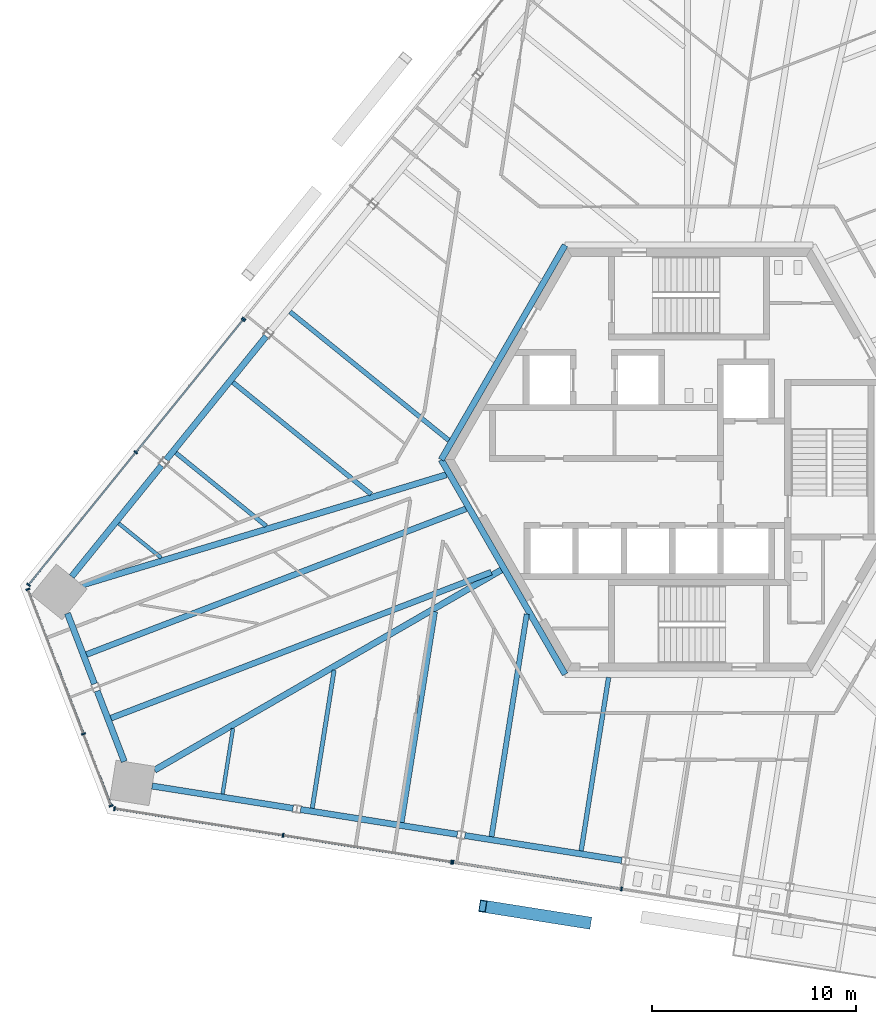
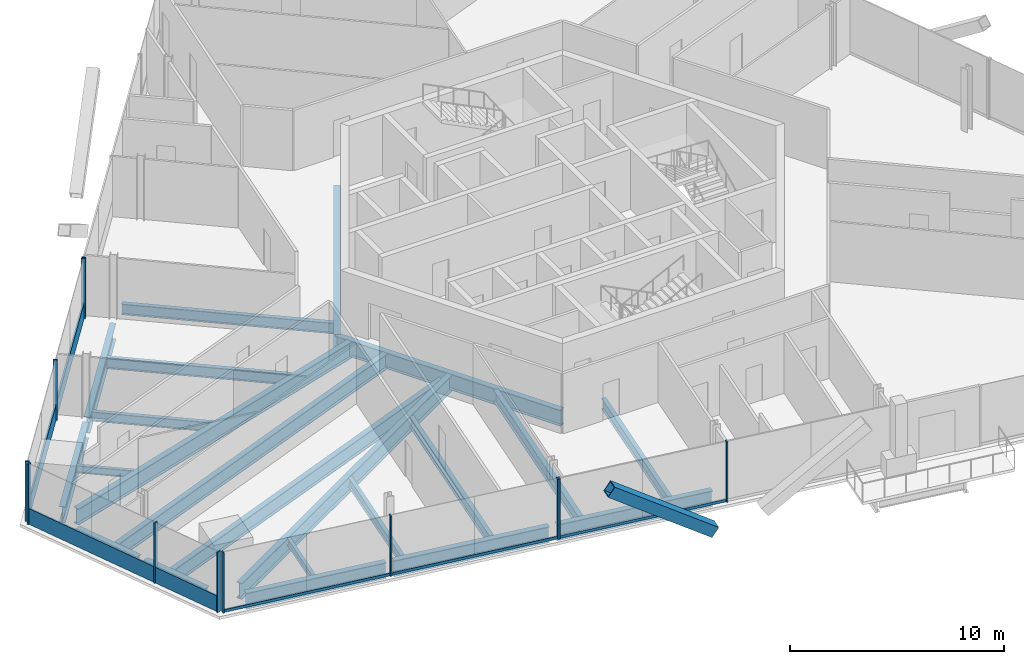
# One storey, part 4 of 18: 22 beams, 20 members, 5 elements without a shape of their own.
"""IFC4 building model written with IfcOpenShell, lengths in metres."""

from ifc_helpers import new_model, si_unit, direction, frame, origin, origin_2d, place, context, subcontext, project, spatial, rectangle, hollow_rectangle, i_section, extrude, source, transform, mapped, material, material_profile, profile_set, type_object, element, aggregate, save


model = new_model("IFC4")

# Units and contexts
model_context = context("Model", 3, precision=1e-05, world=origin(), true_north=direction((0.0, 1.0)))
body_context = subcontext(model_context, "Body", "Model", "MODEL_VIEW")
ifc_project = project(units=[si_unit("LENGTHUNIT", "METRE"), si_unit("AREAUNIT", "SQUARE_METRE"), si_unit("VOLUMEUNIT", "CUBIC_METRE"), si_unit("PLANEANGLEUNIT", "RADIAN"), si_unit("MASSUNIT", "GRAM", prefix="KILO")], contexts=[model_context])

# Site, building, storey
site_placement = place(None, origin())
site = spatial("IfcSite", under=ifc_project, at=site_placement, CompositionType="ELEMENT")
building_placement = place(site_placement, origin())
building = spatial("IfcBuilding", under=site, at=building_placement, Name="Triune Harvest Tower", CompositionType="ELEMENT")
storey_placement = place(building_placement, frame((0.0, 0.0, 156.89990234375)))
storey = spatial("IfcBuildingStorey", under=building, at=storey_placement, Name="L40", CompositionType="ELEMENT", Elevation=156.89990234375)

# Beams
ifc_material_1 = material(Name="Steel ASTM A992 Gr 50", Category="steel")
ifc_material_profile_1 = material_profile(ifc_material_1, i_section(OverallWidth=0.3046875, OverallDepth=0.914306640625, WebThickness=0.0166015625, FlangeThickness=0.02587890625, at=origin_2d()), Name="W36x160")
ifc_profile_set_1 = profile_set([ifc_material_profile_1], Name="Steel ASTM A992 Gr 50")
beam_type_1 = type_object("IfcBeamType", Name="CG-1 Core ring girder W36x160", PredefinedType="BEAM", material=ifc_profile_set_1)
shared_shape_1 = source(origin(), body_context, "Body", "SweptSolid", [
    extrude(i_section(OverallWidth=0.3046875, OverallDepth=0.914306640625, WebThickness=0.0166015625, FlangeThickness=0.02587890625, at=origin_2d()), origin(), (0.0, 0.0, 1.0), 12.176025390625),
])
for number, where, z_axis, x_axis, name in (
    (1, (-6.087890625, 10.544677734375, -0.6171875), (-0.5000099932, -0.866019634131, 0.0), (0.866019634131, -0.5000099932, 0.0), "beam/L40/CG3"),
    (2, (-12.176025390625, 0.0, -0.6171875), (0.5000099932, -0.866019634131, 0.0), (0.866019634131, 0.5000099932, 0.0), "beam/L40/CG4"),
):
    element("IfcBeam", number, at=place(storey_placement, frame(where, z_axis=z_axis, x_axis=x_axis)), inside=storey, type_object=beam_type_1, Name=name, PredefinedType="BEAM", context=body_context, shape_type="MappedRepresentation", body=[
        mapped(shared_shape_1, transform((0.0, 0.0, 0.0), scale=1.0)),
    ])
ifc_material_2 = material(Name="Steel ASTM A992 Gr 50", Category="steel")
ifc_material_profile_2 = material_profile(ifc_material_2, i_section(OverallWidth=0.3046875, OverallDepth=0.914306640625, WebThickness=0.0166015625, FlangeThickness=0.02587890625, at=origin_2d()), Name="W36x160")
ifc_profile_set_2 = profile_set([ifc_material_profile_2], Name="Steel ASTM A992 Gr 50")
beam_type_2 = type_object("IfcBeamType", Name="SB-1 Spandrel beam W36x160", PredefinedType="SPANDREL", material=ifc_profile_set_2)
shared_shape_2 = source(origin(), body_context, "Body", "SweptSolid", [
    extrude(i_section(OverallWidth=0.3046875, OverallDepth=0.914306640625, WebThickness=0.0166015625, FlangeThickness=0.02587890625, at=origin_2d()), origin(), (0.0, 0.0, 1.0), 7.013427734375),
])
for number, where, z_axis, x_axis, name in (
    (3, (-25.920166015625, -0.2890625, -0.6171875), (-0.629311381255, -0.777153257358, 0.0), (0.777153257358, -0.629311381255, 0.0), "beam/L40/SB14"),
    (4, (-26.3828125, -16.031982421875, -0.6171875), (0.987682109987, -0.156473798484, 0.0), (0.156473798484, 0.987682109987, 0.0), "beam/L40/SB17"),
):
    element("IfcBeam", number, at=place(storey_placement, frame(where, z_axis=z_axis, x_axis=x_axis)), inside=storey, type_object=beam_type_2, Name=name, PredefinedType="SPANDREL", context=body_context, shape_type="MappedRepresentation", body=[
        mapped(shared_shape_2, transform((0.0, 0.0, 0.0), scale=1.0)),
    ])
shared_shape_3 = source(origin(), body_context, "Body", "SweptSolid", [
    extrude(i_section(OverallWidth=0.3046875, OverallDepth=0.914306640625, WebThickness=0.0166015625, FlangeThickness=0.02587890625, at=origin_2d()), origin(), (0.0, 0.0, 1.0), 7.8017578125),
])
beam_1_placement = place(storey_placement, frame((-20.775390625, 6.064208984375, -0.6171875), z_axis=(-0.629335951387, -0.777133360686, 0.0), x_axis=(0.777133360686, -0.629335951387, 0.0)))
element("IfcBeam", 5, at=beam_1_placement, inside=storey, type_object=beam_type_2, Name="beam/L40/SB13", PredefinedType="SPANDREL", context=body_context, shape_type="MappedRepresentation", body=[
    mapped(shared_shape_3, transform((0.0, 0.0, 0.0), scale=1.0)),
])
shared_shape_4 = source(origin(), body_context, "Body", "SweptSolid", [
    extrude(i_section(OverallWidth=0.3046875, OverallDepth=0.914306640625, WebThickness=0.0166015625, FlangeThickness=0.02587890625, at=origin_2d()), origin(), (0.0, 0.0, 1.0), 3.71240234375),
])
beam_2_placement = place(storey_placement, frame((-30.5439453125, -7.548095703125, -0.6171875), z_axis=(0.358406131368, -0.933565768973, 0.0), x_axis=(0.933565768973, 0.358406131368, 0.0)))
element("IfcBeam", 6, at=beam_2_placement, inside=storey, type_object=beam_type_2, Name="beam/L40/SB15", PredefinedType="SPANDREL", context=body_context, shape_type="MappedRepresentation", body=[
    mapped(shared_shape_4, transform((0.0, 0.0, 0.0), scale=1.0)),
])
shared_shape_5 = source(origin(), body_context, "Body", "SweptSolid", [
    extrude(i_section(OverallWidth=0.3046875, OverallDepth=0.914306640625, WebThickness=0.0166015625, FlangeThickness=0.02587890625, at=origin_2d()), origin(), (0.0, 0.0, 1.0), 7.801513671875),
])
for number, where, z_axis, x_axis, name in (
    (7, (-19.087158203125, -17.187744140625, -0.6171875), (0.98768800071, -0.156436610974, 0.0), (0.156436610974, 0.98768800071, 0.0), "beam/L40/SB18"),
    (8, (-11.0126953125, -18.466552734375, -0.6171875), (0.98768800071, -0.156436610974, 0.0), (0.156436610974, 0.98768800071, 0.0), "beam/L40/SB19"),
):
    element("IfcBeam", number, at=place(storey_placement, frame(where, z_axis=z_axis, x_axis=x_axis)), inside=storey, type_object=beam_type_2, Name=name, PredefinedType="SPANDREL", context=body_context, shape_type="MappedRepresentation", body=[
        mapped(shared_shape_5, transform((0.0, 0.0, 0.0), scale=1.0)),
    ])
shared_shape_6 = source(origin(), body_context, "Body", "SweptSolid", [
    extrude(i_section(OverallWidth=0.3046875, OverallDepth=0.914306640625, WebThickness=0.0166015625, FlangeThickness=0.02587890625, at=origin_2d()), origin(), (0.0, 0.0, 1.0), 3.712646484375),
])
beam_3_placement = place(storey_placement, frame((-29.07958984375, -11.362548828125, -0.6171875), z_axis=(0.358326814132, -0.933596215863, 0.0), x_axis=(0.933596215863, 0.358326814132, 0.0)))
element("IfcBeam", 9, at=beam_3_placement, inside=storey, type_object=beam_type_2, Name="beam/L40/SB16", PredefinedType="SPANDREL", context=body_context, shape_type="MappedRepresentation", body=[
    mapped(shared_shape_6, transform((0.0, 0.0, 0.0), scale=1.0)),
])
ifc_material_3 = material(Name="Steel ASTM A992 Gr 50", Category="steel")
ifc_material_profile_3 = material_profile(ifc_material_3, i_section(OverallWidth=0.307373046875, OverallDepth=0.922119140625, WebThickness=0.018310546875, FlangeThickness=0.030029296875, at=origin_2d()), Name="W36x182")
ifc_profile_set_3 = profile_set([ifc_material_profile_3], Name="Steel ASTM A992 Gr 50")
beam_type_3 = type_object("IfcBeamType", Name="HG-2 Hip girder W36x182", PredefinedType="BEAM", material=ifc_profile_set_3)
shared_shape_7 = source(origin(), body_context, "Body", "SweptSolid", [
    extrude(i_section(OverallWidth=0.307373046875, OverallDepth=0.922119140625, WebThickness=0.018310546875, FlangeThickness=0.030029296875, at=origin_2d()), origin(), (0.0, 0.0, 1.0), 19.670166015625),
])
beam_4_placement = place(storey_placement, frame((-26.25927734375, -15.252197265625, -0.620849609375), z_axis=(0.866028709221, 0.499994274773, 0.0), x_axis=(-0.499994274773, 0.866028709221, 0.0)))
element("IfcBeam", 10, at=beam_4_placement, inside=storey, type_object=beam_type_3, Name="beam/L40/HG6", PredefinedType="BEAM", context=body_context, shape_type="MappedRepresentation", body=[
    mapped(shared_shape_7, transform((0.0, 0.0, 0.0), scale=1.0)),
])
shared_shape_8 = source(origin(), body_context, "Body", "SweptSolid", [
    extrude(i_section(OverallWidth=0.307373046875, OverallDepth=0.922119140625, WebThickness=0.018310546875, FlangeThickness=0.030029296875, at=origin_2d()), origin(), (0.0, 0.0, 1.0), 18.69580078125),
])
beam_5_placement = place(storey_placement, frame((-29.819580078125, -6.15576171875, -0.620849609375), z_axis=(0.957096860763, 0.289768181686, 0.0), x_axis=(-0.289768181686, 0.957096860763, 0.0)))
element("IfcBeam", 11, at=beam_5_placement, inside=storey, type_object=beam_type_3, Name="beam/L40/HG5", PredefinedType="BEAM", context=body_context, shape_type="MappedRepresentation", body=[
    mapped(shared_shape_8, transform((0.0, 0.0, 0.0), scale=1.0)),
])
ifc_material_4 = material(Name="Steel ASTM A992 Gr 50", Category="steel")
ifc_material_profile_4 = material_profile(ifc_material_4, i_section(OverallWidth=0.2099609375, OverallDepth=0.535888671875, WebThickness=0.010986328125, FlangeThickness=0.017333984375, at=origin_2d()), Name="W21x68")
ifc_profile_set_4 = profile_set([ifc_material_profile_4], Name="Steel ASTM A992 Gr 50")
beam_type_4 = type_object("IfcBeamType", Name="JT-2 Floor joist W21x68", PredefinedType="JOIST", material=ifc_profile_set_4)
shared_shape_9 = source(origin(), body_context, "Body", "SweptSolid", [
    extrude(i_section(OverallWidth=0.2099609375, OverallDepth=0.535888671875, WebThickness=0.010986328125, FlangeThickness=0.017333984375, at=origin_2d()), origin(), (0.0, 0.0, 1.0), 6.871826171875),
])
beam_6_placement = place(storey_placement, frame((-18.513671875, -17.124267578125, -0.427978515625), z_axis=(0.156431434427, 0.987688820592, 0.0), x_axis=(-0.987688820592, 0.156431434427, 0.0)))
element("IfcBeam", 12, at=beam_6_placement, inside=storey, type_object=beam_type_4, Name="beam/L40/JT26", PredefinedType="JOIST", context=body_context, shape_type="MappedRepresentation", body=[
    mapped(shared_shape_9, transform((0.0, 0.0, 0.0), scale=1.0)),
])
ifc_material_5 = material(Name="Steel ASTM A992 Gr 50", Category="steel")
ifc_material_profile_5 = material_profile(ifc_material_5, i_section(OverallWidth=0.22900390625, OverallDepth=0.612060546875, WebThickness=0.011962890625, FlangeThickness=0.01953125, at=origin_2d()), Name="W24x84")
ifc_profile_set_5 = profile_set([ifc_material_profile_5], Name="Steel ASTM A992 Gr 50")
beam_type_5 = type_object("IfcBeamType", Name="JT-3 Floor joist W24x84", PredefinedType="JOIST", material=ifc_profile_set_5)
shared_shape_10 = source(origin(), body_context, "Body", "SweptSolid", [
    extrude(i_section(OverallWidth=0.22900390625, OverallDepth=0.612060546875, WebThickness=0.011962890625, FlangeThickness=0.01953125, at=origin_2d()), origin(), (0.0, 0.0, 1.0), 10.482666015625),
])
beam_7_placement = place(storey_placement, frame((-14.109375, -17.82177734375, -0.466064453125), z_axis=(0.156439750993, 0.987687503368, 0.0), x_axis=(-0.987687503368, 0.156439750993, 0.0)))
element("IfcBeam", 13, at=beam_7_placement, inside=storey, type_object=beam_type_5, Name="beam/L40/JT27", PredefinedType="JOIST", context=body_context, shape_type="MappedRepresentation", body=[
    mapped(shared_shape_10, transform((0.0, 0.0, 0.0), scale=1.0)),
])
shared_shape_11 = source(origin(), body_context, "Body", "SweptSolid", [
    extrude(i_section(OverallWidth=0.22900390625, OverallDepth=0.612060546875, WebThickness=0.011962890625, FlangeThickness=0.01953125, at=origin_2d()), origin(), (0.0, 0.0, 1.0), 8.738037109375),
])
beam_8_placement = place(storey_placement, frame((-22.410400390625, 3.802978515625, -0.466064453125), z_axis=(0.777147913906, -0.629317979968, 0.0), x_axis=(0.629317979968, 0.777147913906, 0.0)))
element("IfcBeam", 14, at=beam_8_placement, inside=storey, type_object=beam_type_5, Name="beam/L40/JT20", PredefinedType="JOIST", context=body_context, shape_type="MappedRepresentation", body=[
    mapped(shared_shape_11, transform((0.0, 0.0, 0.0), scale=1.0)),
])
ifc_material_6 = material(Name="Steel ASTM A992 Gr 50", Category="steel")
ifc_material_profile_6 = material_profile(ifc_material_6, i_section(OverallWidth=0.180908203125, OverallDepth=0.41650390625, WebThickness=0.010986328125, FlangeThickness=0.01806640625, at=origin_2d()), Name="W16x57")
ifc_profile_set_6 = profile_set([ifc_material_profile_6], Name="Steel ASTM A992 Gr 50")
beam_type_6 = type_object("IfcBeamType", Name="JT-1 Floor joist W16x57", PredefinedType="JOIST", material=ifc_profile_set_6)
shared_shape_12 = source(origin(), body_context, "Body", "SweptSolid", [
    extrude(i_section(OverallWidth=0.180908203125, OverallDepth=0.41650390625, WebThickness=0.010986328125, FlangeThickness=0.01806640625, at=origin_2d()), origin(), (0.0, 0.0, 1.0), 2.687255859375),
])
beam_9_placement = place(storey_placement, frame((-28.022705078125, -3.127685546875, -0.3681640625), z_axis=(0.777141190223, -0.629326282987, 0.0), x_axis=(0.629326282987, 0.777141190223, 0.0)))
element("IfcBeam", 15, at=beam_9_placement, inside=storey, type_object=beam_type_6, Name="beam/L40/JT22", PredefinedType="JOIST", context=body_context, shape_type="MappedRepresentation", body=[
    mapped(shared_shape_12, transform((0.0, 0.0, 0.0), scale=1.0)),
])
ifc_material_7 = material(Name="Steel ASTM A992 Gr 50", Category="steel")
ifc_material_profile_7 = material_profile(ifc_material_7, i_section(OverallWidth=0.2919921875, OverallDepth=0.8583984375, WebThickness=0.01708984375, FlangeThickness=0.031005859375, at=origin_2d()), Name="W33x169")
ifc_profile_set_7 = profile_set([ifc_material_profile_7], Name="Steel ASTM A992 Gr 50")
beam_type_7 = type_object("IfcBeamType", Name="JT-7 Floor joist W33x169", PredefinedType="JOIST", material=ifc_profile_set_7)
shared_shape_13 = source(origin(), body_context, "Body", "SweptSolid", [
    extrude(i_section(OverallWidth=0.2919921875, OverallDepth=0.8583984375, WebThickness=0.01708984375, FlangeThickness=0.031005859375, at=origin_2d()), origin(), (0.0, 0.0, 1.0), 19.97216796875),
])
beam_10_placement = place(storey_placement, frame((-29.6044921875, -9.570068359375, -0.589111328125), z_axis=(0.933578234713, 0.358373659287, 0.0), x_axis=(-0.358373659287, 0.933578234713, 0.0)))
element("IfcBeam", 16, at=beam_10_placement, inside=storey, type_object=beam_type_7, Name="beam/L40/JT23", PredefinedType="JOIST", context=body_context, shape_type="MappedRepresentation", body=[
    mapped(shared_shape_13, transform((0.0, 0.0, 0.0), scale=1.0)),
])
shared_shape_14 = source(origin(), body_context, "Body", "SweptSolid", [
    extrude(i_section(OverallWidth=0.180908203125, OverallDepth=0.41650390625, WebThickness=0.010986328125, FlangeThickness=0.01806640625, at=origin_2d()), origin(), (0.0, 0.0, 1.0), 3.2607421875),
])
beam_11_placement = place(storey_placement, frame((-22.917724609375, -16.4267578125, -0.3681640625), z_axis=(0.156404699139, 0.987693054591, 0.0), x_axis=(-0.987693054591, 0.156404699139, 0.0)))
element("IfcBeam", 17, at=beam_11_placement, inside=storey, type_object=beam_type_6, Name="beam/L40/JT25", PredefinedType="JOIST", context=body_context, shape_type="MappedRepresentation", body=[
    mapped(shared_shape_14, transform((0.0, 0.0, 0.0), scale=1.0)),
])
ifc_material_8 = material(Name="Steel ASTM A992 Gr 50", Category="steel")
ifc_material_profile_8 = material_profile(ifc_material_8, i_section(OverallWidth=0.253662109375, OverallDepth=0.683349609375, WebThickness=0.012451171875, FlangeThickness=0.01904296875, at=origin_2d()), Name="W27x94")
ifc_profile_set_8 = profile_set([ifc_material_profile_8], Name="Steel ASTM A992 Gr 50")
beam_type_8 = type_object("IfcBeamType", Name="JT-4 Floor joist W27x94", PredefinedType="JOIST", material=ifc_profile_set_8)
shared_shape_15 = source(origin(), body_context, "Body", "SweptSolid", [
    extrude(i_section(OverallWidth=0.253662109375, OverallDepth=0.683349609375, WebThickness=0.012451171875, FlangeThickness=0.01904296875, at=origin_2d()), origin(), (0.0, 0.0, 1.0), 11.0712890625),
])
beam_12_placement = place(storey_placement, frame((-9.705078125, -18.519287109375, -0.50146484375), z_axis=(0.156433624309, 0.987688473753, 0.0), x_axis=(-0.987688473753, 0.156433624309, 0.0)))
element("IfcBeam", 18, at=beam_12_placement, inside=storey, type_object=beam_type_8, Name="beam/L40/JT28", PredefinedType="JOIST", context=body_context, shape_type="MappedRepresentation", body=[
    mapped(shared_shape_15, transform((0.0, 0.0, 0.0), scale=1.0)),
])
shared_shape_16 = source(origin(), body_context, "Body", "SweptSolid", [
    extrude(i_section(OverallWidth=0.22900390625, OverallDepth=0.612060546875, WebThickness=0.011962890625, FlangeThickness=0.01953125, at=origin_2d()), origin(), (0.0, 0.0, 1.0), 8.6259765625),
])
beam_13_placement = place(storey_placement, frame((-5.301025390625, -19.216796875, -0.466064453125), z_axis=(0.156430549504, 0.987688960747, 0.0), x_axis=(-0.987688960747, 0.156430549504, 0.0)))
element("IfcBeam", 19, at=beam_13_placement, inside=storey, type_object=beam_type_5, Name="beam/L40/JT29", PredefinedType="JOIST", context=body_context, shape_type="MappedRepresentation", body=[
    mapped(shared_shape_16, transform((0.0, 0.0, 0.0), scale=1.0)),
])
shared_shape_17 = source(origin(), body_context, "Body", "SweptSolid", [
    extrude(i_section(OverallWidth=0.22900390625, OverallDepth=0.612060546875, WebThickness=0.011962890625, FlangeThickness=0.01953125, at=origin_2d()), origin(), (0.0, 0.0, 1.0), 10.0380859375),
])
beam_14_placement = place(storey_placement, frame((-19.60400390625, 7.268310546875, -0.466064453125), z_axis=(0.777146308943, -0.629319961941, 0.0), x_axis=(0.629319961941, 0.777146308943, 0.0)))
element("IfcBeam", 20, at=beam_14_placement, inside=storey, type_object=beam_type_5, Name="beam/L40/JT19", PredefinedType="JOIST", context=body_context, shape_type="MappedRepresentation", body=[
    mapped(shared_shape_17, transform((0.0, 0.0, 0.0), scale=1.0)),
])
shared_shape_18 = source(origin(), body_context, "Body", "SweptSolid", [
    extrude(i_section(OverallWidth=0.2099609375, OverallDepth=0.535888671875, WebThickness=0.010986328125, FlangeThickness=0.017333984375, at=origin_2d()), origin(), (0.0, 0.0, 1.0), 5.71240234375),
])
beam_15_placement = place(storey_placement, frame((-25.216552734375, 0.337646484375, -0.427978515625), z_axis=(0.777148320449, -0.629317477926, 0.0), x_axis=(0.629317477926, 0.777148320449, 0.0)))
element("IfcBeam", 21, at=beam_15_placement, inside=storey, type_object=beam_type_4, Name="beam/L40/JT21", PredefinedType="JOIST", context=body_context, shape_type="MappedRepresentation", body=[
    mapped(shared_shape_18, transform((0.0, 0.0, 0.0), scale=1.0)),
])
shared_shape_19 = source(origin(), body_context, "Body", "SweptSolid", [
    extrude(i_section(OverallWidth=0.2919921875, OverallDepth=0.8583984375, WebThickness=0.01708984375, FlangeThickness=0.031005859375, at=origin_2d()), origin(), (0.0, 0.0, 1.0), 20.01611328125),
])
beam_16_placement = place(storey_placement, frame((-28.404052734375, -12.697509765625, -0.589111328125), z_axis=(0.933581802132, 0.358364365875, 0.0), x_axis=(-0.358364365875, 0.933581802132, 0.0)))
element("IfcBeam", 22, at=beam_16_placement, inside=storey, type_object=beam_type_7, Name="beam/L40/JT24", PredefinedType="JOIST", context=body_context, shape_type="MappedRepresentation", body=[
    mapped(shared_shape_19, transform((0.0, 0.0, 0.0), scale=1.0)),
])

# Member
ifc_material_9 = material(Name="Steel ASTM A572 Gr 50", Category="steel")
ifc_material_profile_9 = material_profile(ifc_material_9, hollow_rectangle(XDim=0.60009765625, YDim=0.60009765625, WallThickness=0.0400390625, at=origin_2d()), Name="Box 600x600x40")
ifc_profile_set_9 = profile_set([ifc_material_profile_9], Name="Steel ASTM A572 Gr 50")
member_type_1 = type_object("IfcMemberType", Name="BR-2 Brace Box 600x600x40", PredefinedType="BRACE", material=ifc_profile_set_9)
shared_shape_20 = source(origin(), body_context, "Body", "SweptSolid", [
    extrude(hollow_rectangle(XDim=0.60009765625, YDim=0.60009765625, WallThickness=0.0400390625, at=origin_2d()), origin(), (0.0, 0.0, 1.0), 6.3291015625),
])
member_1_placement = place(storey_placement, frame((-4.9931640625, -22.74951171875, 0.0), z_axis=(-0.812339415933, 0.128645802371, 0.568818891084), x_axis=(-0.156415343348, -0.987691368984, 0.0)))
element("IfcMember", 23, at=member_1_placement, inside=storey, type_object=member_type_1, Name="brace/B4-F5/d2/6", PredefinedType="BRACE", context=body_context, shape_type="MappedRepresentation", body=[
    mapped(shared_shape_20, transform((0.0, 0.0, 0.0), scale=1.0)),
])

# Curtain wall, member
ifc_material_10 = material(Name="Aluminium bronze anodised", Category="aluminium")
curtain_wall_type_1 = type_object("IfcCurtainWallType", Name="CW-7 Tower stick curtain wall with insulated spandrel infill", PredefinedType="NOTDEFINED", material=ifc_material_10)
curtain_wall_1_placement = place(storey_placement, origin())
curtain_wall_1 = element("IfcCurtainWall", 24, at=curtain_wall_1_placement, inside=storey, type_object=curtain_wall_type_1, Name="CW-7 B4-F3 L40 run 1001")
ifc_material_11 = material(Name="Aluminium bronze anodised", Category="aluminium")
ifc_material_profile_10 = material_profile(ifc_material_11, rectangle(XDim=0.199951171875, YDim=0.074951171875, at=origin_2d()), Name="MU-1 mullion 75 x 200")
ifc_profile_set_10 = profile_set([ifc_material_profile_10], Name="Aluminium bronze anodised")
member_type_2 = type_object("IfcMemberType", Name="MU-1 mullion 75 x 200", PredefinedType="MULLION", material=ifc_profile_set_10)
shared_shape_21 = source(origin(), body_context, "Body", "SweptSolid", [
    extrude(rectangle(XDim=0.199951171875, YDim=0.074951171875, at=origin_2d()), origin(), (0.0, 0.0, 1.0), 3.440185546875),
])
member_2_placement = place(storey_placement, frame((-21.863037109375, 6.927978515625, 0.0), z_axis=(0.0, 0.0, 1.0), x_axis=(0.777148525071, -0.629317225237, 0.0)))
member_2 = element("IfcMember", 25, at=member_2_placement, type_object=member_type_2, Name="CW-7 mullion B4-F3 1001.5", PredefinedType="MULLION", context=body_context, shape_type="MappedRepresentation", body=[
    mapped(shared_shape_21, transform((0.0, 0.0, 0.0), scale=1.0)),
])
aggregate(curtain_wall_1, [member_2])

# Curtain wall, members
ifc_material_12 = material(Name="Aluminium bronze anodised", Category="aluminium")
curtain_wall_type_2 = type_object("IfcCurtainWallType", Name="CW-1 Tower stick curtain wall", PredefinedType="NOTDEFINED", material=ifc_material_12)
curtain_wall_2_placement = place(storey_placement, origin())
curtain_wall_2 = element("IfcCurtainWall", 26, at=curtain_wall_2_placement, inside=storey, type_object=curtain_wall_type_2, Name="CW-1 B4-F3 L40 run 2001")
member_3_placement = place(storey_placement, frame((-21.91015625, 6.86962890625, 0.0), z_axis=(0.0, 0.0, 1.0), x_axis=(0.77714338231, -0.629323576018, 0.0)))
member_3 = element("IfcMember", 27, at=member_3_placement, type_object=member_type_2, Name="CW-1 mullion B4-F3 2001.1", PredefinedType="MULLION", context=body_context, shape_type="MappedRepresentation", body=[
    mapped(shared_shape_21, transform((0.0, 0.0, 0.0), scale=1.0)),
])
member_4_placement = place(storey_placement, frame((-27.1806640625, 0.361328125, 0.0), z_axis=(0.0, 0.0, 1.0), x_axis=(0.77714338231, -0.629323576018, 0.0)))
member_4 = element("IfcMember", 28, at=member_4_placement, type_object=member_type_2, Name="CW-1 mullion B4-F3 2001.3", PredefinedType="MULLION", context=body_context, shape_type="MappedRepresentation", body=[
    mapped(shared_shape_21, transform((0.0, 0.0, 0.0), scale=1.0)),
])
member_5_placement = place(storey_placement, frame((-32.451171875, -6.147216796875, 0.0), z_axis=(0.0, 0.0, 1.0), x_axis=(0.77714338231, -0.629323576018, 0.0)))
member_5 = element("IfcMember", 29, at=member_5_placement, type_object=member_type_2, Name="CW-1 mullion B4-F3 2001.5", PredefinedType="MULLION", context=body_context, shape_type="MappedRepresentation", body=[
    mapped(shared_shape_21, transform((0.0, 0.0, 0.0), scale=1.0)),
])

curtain_wall_3_placement = place(storey_placement, origin())
curtain_wall_3 = element("IfcCurtainWall", 30, at=curtain_wall_3_placement, inside=storey, type_object=curtain_wall_type_2, Name="CW-1 B4-F4 L40 run 1")
member_6_placement = place(storey_placement, frame((-32.485595703125, -6.365234375, 0.0), z_axis=(0.0, 0.0, 1.0), x_axis=(0.933580057745, 0.358368910177, 0.0)))
member_6 = element("IfcMember", 31, at=member_6_placement, type_object=member_type_2, Name="CW-1 mullion B4-F4 1.1", PredefinedType="MULLION", context=body_context, shape_type="MappedRepresentation", body=[
    mapped(shared_shape_21, transform((0.0, 0.0, 0.0), scale=1.0)),
])
member_7_placement = place(storey_placement, frame((-29.7578125, -13.47119140625, 0.0), z_axis=(0.0, 0.0, 1.0), x_axis=(0.933580057745, 0.358368910177, 0.0)))
member_7 = element("IfcMember", 32, at=member_7_placement, type_object=member_type_2, Name="CW-1 mullion B4-F4 1.3", PredefinedType="MULLION", context=body_context, shape_type="MappedRepresentation", body=[
    mapped(shared_shape_21, transform((0.0, 0.0, 0.0), scale=1.0)),
])
member_8_placement = place(storey_placement, frame((-28.400634765625, -17.0068359375, 0.0), z_axis=(0.0, 0.0, 1.0), x_axis=(0.933580057745, 0.358368910177, 0.0)))
member_8 = element("IfcMember", 33, at=member_8_placement, type_object=member_type_2, Name="CW-1 mullion B4-F4 1.4", PredefinedType="MULLION", context=body_context, shape_type="MappedRepresentation", body=[
    mapped(shared_shape_21, transform((0.0, 0.0, 0.0), scale=1.0)),
])

ifc_material_13 = material(Name="Aluminium bronze anodised", Category="aluminium")
curtain_wall_type_3 = type_object("IfcCurtainWallType", Name="CW-6 Balcony window wall", PredefinedType="NOTDEFINED", material=ifc_material_13)
curtain_wall_4_placement = place(storey_placement, origin())
curtain_wall_4 = element("IfcCurtainWall", 34, at=curtain_wall_4_placement, inside=storey, type_object=curtain_wall_type_3, Name="CW-6 B4-F5 L40 run 1")
ifc_material_14 = material(Name="Aluminium bronze anodised", Category="aluminium")
ifc_material_profile_11 = material_profile(ifc_material_14, rectangle(XDim=0.199951171875, YDim=0.074951171875, at=origin_2d()), Name="MU-6 mullion 75 x 200")
ifc_profile_set_11 = profile_set([ifc_material_profile_11], Name="Aluminium bronze anodised")
member_type_3 = type_object("IfcMemberType", Name="MU-6 mullion 75 x 200", PredefinedType="MULLION", material=ifc_profile_set_11)
shared_shape_22 = source(origin(), body_context, "Body", "SweptSolid", [
    extrude(rectangle(XDim=0.199951171875, YDim=0.074951171875, at=origin_2d()), origin(), (0.0, 0.0, 1.0), 3.440185546875),
])
member_9_placement = place(storey_placement, frame((-28.22900390625, -17.145751953125, 0.0), z_axis=(0.0, 0.0, 1.0), x_axis=(0.156436659921, 0.987687992958, 0.0)))
member_9 = element("IfcMember", 35, at=member_9_placement, type_object=member_type_3, Name="CW-6 mullion B4-F5 1.1", PredefinedType="MULLION", context=body_context, shape_type="MappedRepresentation", body=[
    mapped(shared_shape_22, transform((0.0, 0.0, 0.0), scale=1.0)),
])
member_10_placement = place(storey_placement, frame((-19.949951171875, -18.45703125, 0.0), z_axis=(0.0, 0.0, 1.0), x_axis=(0.156436659921, 0.987687992958, 0.0)))
member_10 = element("IfcMember", 36, at=member_10_placement, type_object=member_type_3, Name="CW-6 mullion B4-F5 1.3", PredefinedType="MULLION", context=body_context, shape_type="MappedRepresentation", body=[
    mapped(shared_shape_22, transform((0.0, 0.0, 0.0), scale=1.0)),
])
member_11_placement = place(storey_placement, frame((-11.6708984375, -19.768310546875, 0.0), z_axis=(0.0, 0.0, 1.0), x_axis=(0.156436659921, 0.987687992958, 0.0)))
member_11 = element("IfcMember", 37, at=member_11_placement, type_object=member_type_3, Name="CW-6 mullion B4-F5 1.5", PredefinedType="MULLION", context=body_context, shape_type="MappedRepresentation", body=[
    mapped(shared_shape_22, transform((0.0, 0.0, 0.0), scale=1.0)),
])

ifc_material_15 = material(Name="Aluminium bronze anodised", Category="aluminium")
curtain_wall_type_4 = type_object("IfcCurtainWallType", Name="CW-10 Balcony window wall with insulated spandrel infill", PredefinedType="NOTDEFINED", material=ifc_material_15)
curtain_wall_5_placement = place(storey_placement, origin())
curtain_wall_5 = element("IfcCurtainWall", 38, at=curtain_wall_5_placement, inside=storey, type_object=curtain_wall_type_4, Name="CW-10 B4-F5 L40 run 1001")
member_12_placement = place(storey_placement, frame((-11.596923828125, -19.780029296875, 0.0), z_axis=(0.0, 0.0, 1.0), x_axis=(0.156433288984, 0.987688526863, 0.0)))
member_12 = element("IfcMember", 39, at=member_12_placement, type_object=member_type_3, Name="CW-10 mullion B4-F5 1001.1", PredefinedType="MULLION", context=body_context, shape_type="MappedRepresentation", body=[
    mapped(shared_shape_22, transform((0.0, 0.0, 0.0), scale=1.0)),
])
member_13_placement = place(storey_placement, frame((-3.31787109375, -21.09130859375, 0.0), z_axis=(0.0, 0.0, 1.0), x_axis=(0.156433288984, 0.987688526863, 0.0)))
member_13 = element("IfcMember", 40, at=member_13_placement, type_object=member_type_3, Name="CW-10 mullion B4-F5 1001.3", PredefinedType="MULLION", context=body_context, shape_type="MappedRepresentation", body=[
    mapped(shared_shape_22, transform((0.0, 0.0, 0.0), scale=1.0)),
])

# Member
ifc_material_16 = material(Name="Aluminium bronze anodised", Category="aluminium")
ifc_material_profile_12 = material_profile(ifc_material_16, rectangle(XDim=0.090087890625, YDim=0.89990234375, at=origin_2d()), Name="TR-1 transom 90 x 900")
ifc_profile_set_12 = profile_set([ifc_material_profile_12], Name="Aluminium bronze anodised")
member_type_4 = type_object("IfcMemberType", Name="TR-1 transom 90 x 900", PredefinedType="USERDEFINED", material=ifc_profile_set_12)
shared_shape_23 = source(origin(), body_context, "Body", "SweptSolid", [
    extrude(rectangle(XDim=0.090087890625, YDim=0.89990234375, at=origin_2d()), origin(), (0.0, 0.0, 1.0), 3.7119140625),
])
member_14_placement = place(storey_placement, frame((-29.744384765625, -13.50634765625, 0.4501953125), z_axis=(0.358392822083, -0.933570878444, 0.0), x_axis=(0.933570878444, 0.358392822083, 0.0)))
member_14 = element("IfcMember", 41, at=member_14_placement, type_object=member_type_4, Name="CW-1 transom B4-F4 1.2", ObjectType="TRANSOM", PredefinedType="USERDEFINED", context=body_context, shape_type="MappedRepresentation", body=[
    mapped(shared_shape_23, transform((0.0, 0.0, 0.0), scale=1.0)),
])

shared_shape_24 = source(origin(), body_context, "Body", "SweptSolid", [
    extrude(rectangle(XDim=0.090087890625, YDim=0.89990234375, at=origin_2d()), origin(), (0.0, 0.0, 1.0), 8.299560546875),
])
member_15_placement = place(storey_placement, frame((-27.204345703125, 0.33203125, 0.4501953125), z_axis=(-0.629325998453, -0.777141420638, 0.0), x_axis=(0.777141420638, -0.629325998453, 0.0)))
member_15 = element("IfcMember", 42, at=member_15_placement, type_object=member_type_4, Name="CW-1 transom B4-F3 2001.2", ObjectType="TRANSOM", PredefinedType="USERDEFINED", context=body_context, shape_type="MappedRepresentation", body=[
    mapped(shared_shape_24, transform((0.0, 0.0, 0.0), scale=1.0)),
])

shared_shape_25 = source(origin(), body_context, "Body", "SweptSolid", [
    extrude(rectangle(XDim=0.090087890625, YDim=0.89990234375, at=origin_2d()), origin(), (0.0, 0.0, 1.0), 7.53662109375),
])
member_16_placement = place(storey_placement, frame((-32.47216796875, -6.400146484375, 0.4501953125), z_axis=(0.358369036816, -0.933580009132, 0.0), x_axis=(0.933580009132, 0.358369036816, 0.0)))
member_16 = element("IfcMember", 43, at=member_16_placement, type_object=member_type_4, Name="CW-1 transom B4-F4 1.1", ObjectType="TRANSOM", PredefinedType="USERDEFINED", context=body_context, shape_type="MappedRepresentation", body=[
    mapped(shared_shape_25, transform((0.0, 0.0, 0.0), scale=1.0)),
])

aggregate(curtain_wall_3, [member_6, member_7, member_8, member_16, member_14])

shared_shape_26 = source(origin(), body_context, "Body", "SweptSolid", [
    extrude(rectangle(XDim=0.090087890625, YDim=0.89990234375, at=origin_2d()), origin(), (0.0, 0.0, 1.0), 8.2998046875),
])
member_17_placement = place(storey_placement, frame((-21.933837890625, 6.840576171875, 0.4501953125), z_axis=(-0.629311612033, -0.777153070483, 0.0), x_axis=(0.777153070483, -0.629311612033, 0.0)))
member_17 = element("IfcMember", 44, at=member_17_placement, type_object=member_type_4, Name="CW-1 transom B4-F3 2001.1", ObjectType="TRANSOM", PredefinedType="USERDEFINED", context=body_context, shape_type="MappedRepresentation", body=[
    mapped(shared_shape_26, transform((0.0, 0.0, 0.0), scale=1.0)),
])

aggregate(curtain_wall_2, [member_3, member_4, member_5, member_17, member_15])

ifc_material_17 = material(Name="Aluminium bronze anodised", Category="aluminium")
ifc_material_profile_13 = material_profile(ifc_material_17, rectangle(XDim=0.090087890625, YDim=0.14990234375, at=origin_2d()), Name="TR-6 transom 90 x 150")
ifc_profile_set_13 = profile_set([ifc_material_profile_13], Name="Aluminium bronze anodised")
member_type_5 = type_object("IfcMemberType", Name="TR-6 transom 90 x 150", PredefinedType="USERDEFINED", material=ifc_profile_set_13)
shared_shape_27 = source(origin(), body_context, "Body", "SweptSolid", [
    extrude(rectangle(XDim=0.090087890625, YDim=0.14990234375, at=origin_2d()), origin(), (0.0, 0.0, 1.0), 8.307373046875),
])
member_18_placement = place(storey_placement, frame((-28.192138671875, -17.151611328125, 0.0751953125), z_axis=(0.987688269171, -0.156434915996, 0.0), x_axis=(0.156434915996, 0.987688269171, 0.0)))
member_18 = element("IfcMember", 45, at=member_18_placement, type_object=member_type_5, Name="CW-6 transom B4-F5 1.1", ObjectType="TRANSOM", PredefinedType="USERDEFINED", context=body_context, shape_type="MappedRepresentation", body=[
    mapped(shared_shape_27, transform((0.0, 0.0, 0.0), scale=1.0)),
])

member_19_placement = place(storey_placement, frame((-19.9130859375, -18.462890625, 0.0751953125), z_axis=(0.987688269171, -0.156434915996, 0.0), x_axis=(0.156434915996, 0.987688269171, 0.0)))
member_19 = element("IfcMember", 46, at=member_19_placement, type_object=member_type_5, Name="CW-6 transom B4-F5 1.2", ObjectType="TRANSOM", PredefinedType="USERDEFINED", context=body_context, shape_type="MappedRepresentation", body=[
    mapped(shared_shape_27, transform((0.0, 0.0, 0.0), scale=1.0)),
])

aggregate(curtain_wall_4, [member_9, member_10, member_11, member_18, member_19])

member_20_placement = place(storey_placement, frame((-11.559814453125, -19.785888671875, 0.0751953125), z_axis=(0.987688269171, -0.156434915996, 0.0), x_axis=(0.156434915996, 0.987688269171, 0.0)))
member_20 = element("IfcMember", 47, at=member_20_placement, type_object=member_type_5, Name="CW-10 transom B4-F5 1001.1", ObjectType="TRANSOM", PredefinedType="USERDEFINED", context=body_context, shape_type="MappedRepresentation", body=[
    mapped(shared_shape_27, transform((0.0, 0.0, 0.0), scale=1.0)),
])

aggregate(curtain_wall_5, [member_12, member_13, member_20])

save(model, "model.ifc")
